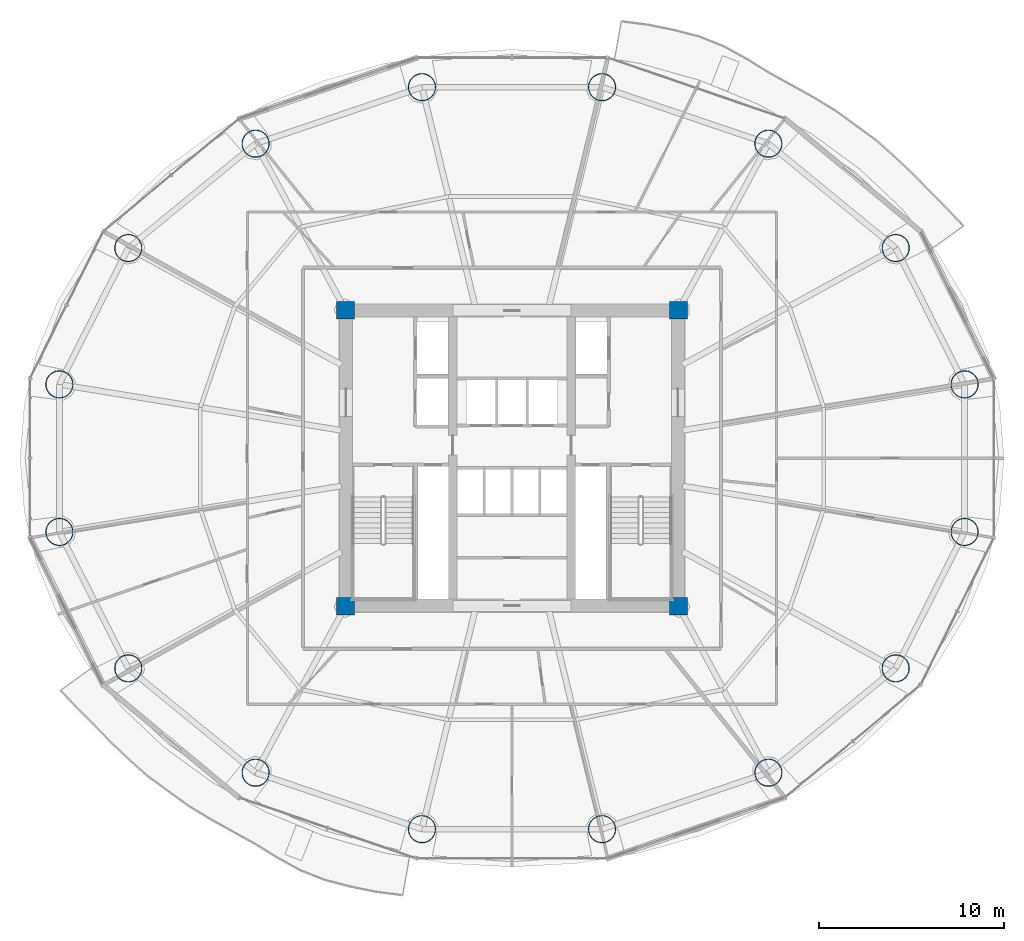
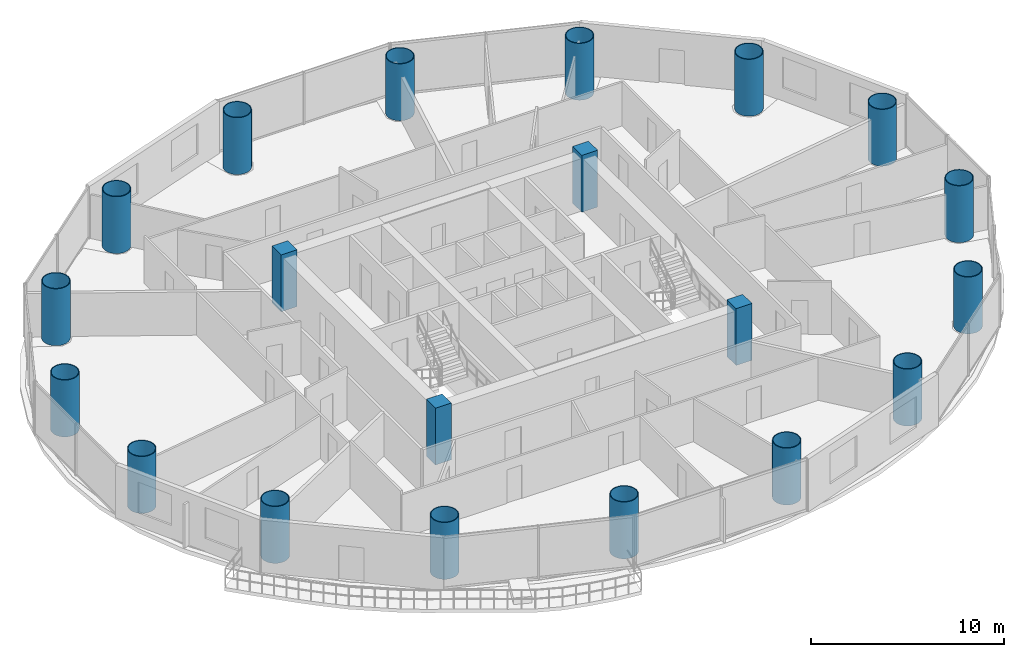
# One storey, part 1 of 29: 20 columns.
"""IFC4 building model written with IfcOpenShell, lengths in metres."""

from ifc_helpers import new_model, si_unit, direction, frame, origin, origin_2d, place, context, subcontext, project, spatial, rectangle, hollow_circle, extrude, material, material_profile, profile_set, type_object, element, save


model = new_model("IFC4")

# Units and contexts
model_context = context("Model", 3, precision=1e-05, world=origin(), true_north=direction((-0.2419218956, 0.970295726276)))
body_context = subcontext(model_context, "Body", "Model", "MODEL_VIEW")
ifc_project = project(units=[si_unit("LENGTHUNIT", "METRE"), si_unit("AREAUNIT", "SQUARE_METRE"), si_unit("VOLUMEUNIT", "CUBIC_METRE"), si_unit("PLANEANGLEUNIT", "RADIAN"), si_unit("MASSUNIT", "GRAM", prefix="KILO")], contexts=[model_context])

# Site, building, storey
site_placement = place(None, origin())
site = spatial("IfcSite", under=ifc_project, at=site_placement, CompositionType="ELEMENT")
building_placement = place(site_placement, origin())
building = spatial("IfcBuilding", under=site, at=building_placement, Name="Cobrevalo Terracotta Tower", CompositionType="ELEMENT")
storey_placement = place(building_placement, frame((0.0, 0.0, 123.0)))
storey = spatial("IfcBuildingStorey", under=building, at=storey_placement, Name="L32", CompositionType="ELEMENT", Elevation=123.0)

# Columns
ifc_material_1 = material(Name="Steel S355", Category="steel")
ifc_material_profile_1 = material_profile(ifc_material_1, hollow_circle(Radius=0.75, WallThickness=0.044921875, at=origin_2d()), Name="CHS 1500x45")
ifc_profile_set_1 = profile_set([ifc_material_profile_1], Name="Steel S355")
column_type_1 = type_object("IfcColumnType", Name="Structural Column CHS 1500x45 (Steel S355)", PredefinedType="COLUMN", material=ifc_profile_set_1)
for number, where, z_axis, x_axis, name in (
    (1, (62.470703125, 30.78955078125, 0.0), (0.0, 0.0, 1.0), (1.0, 0.0, 0.0), "L32 composite megacolumn MC01"),
    (2, (58.7451171875, 38.161376953125, 0.0), (0.0, 0.0, 1.0), (1.0, 0.0, 0.0), "L32 composite megacolumn MC02"),
    (3, (51.861572265625, 43.803466796875, 0.0), (0.0, 0.0, 1.0), (1.0, 0.0, 0.0), "L32 composite megacolumn MC03"),
    (4, (42.867431640625, 46.857177734375, 0.0), (0.0, 0.0, 1.0), (1.0, 0.0, 0.0), "L32 composite megacolumn MC04"),
    (5, (33.132568359375, 46.857177734375, 0.0), (0.0, 0.0, 1.0), (1.0, 0.0, 0.0), "L32 composite megacolumn MC05"),
    (6, (24.138427734375, 43.803466796875, 0.0), (0.0, 0.0, 1.0), (1.0, 0.0, 0.0), "L32 composite megacolumn MC06"),
    (7, (17.2548828125, 38.161376953125, 0.0), (0.0, 0.0, 1.0), (1.0, 0.0, 0.0), "L32 composite megacolumn MC07"),
    (8, (13.529296875, 30.78955078125, 0.0), (0.0, 0.0, 1.0), (1.0, 0.0, 0.0), "L32 composite megacolumn MC08"),
    (9, (13.529296875, 22.810302734375, 0.0), (0.0, 0.0, 1.0), (1.0, 0.0, 0.0), "L32 composite megacolumn MC09"),
    (10, (17.2548828125, 15.4384765625, 0.0), (0.0, 0.0, 1.0), (1.0, 0.0, 0.0), "L32 composite megacolumn MC10"),
    (11, (24.138427734375, 9.79638671875, 0.0), (0.0, 0.0, 1.0), (1.0, 0.0, 0.0), "L32 composite megacolumn MC11"),
    (12, (33.132568359375, 6.742919921875, 0.0), (0.0, 0.0, 1.0), (1.0, 0.0, 0.0), "L32 composite megacolumn MC12"),
    (13, (42.867431640625, 6.742919921875, 0.0), (0.0, 0.0, 1.0), (1.0, 0.0, 0.0), "L32 composite megacolumn MC13"),
    (14, (51.861572265625, 9.79638671875, 0.0), (0.0, 0.0, 1.0), (1.0, 0.0, 0.0), "L32 composite megacolumn MC14"),
    (15, (58.7451171875, 15.4384765625, 0.0), (0.0, 0.0, 1.0), (1.0, 0.0, 0.0), "L32 composite megacolumn MC15"),
    (16, (62.470703125, 22.810302734375, 0.0), (0.0, 0.0, 1.0), (1.0, 0.0, 0.0), "L32 composite megacolumn MC16"),
):
    element("IfcColumn", number, at=place(storey_placement, frame(where, z_axis=z_axis, x_axis=x_axis)), inside=storey, type_object=column_type_1, Name=name, PredefinedType="COLUMN", context=body_context, shape_type="SweptSolid", body=[
        extrude(hollow_circle(Radius=0.75, WallThickness=0.044921875, at=origin_2d()), origin(), (0.0, 0.0, 1.0), 3.60009765625),
    ])
ifc_material_2 = material(Name="Concrete C55", Category="concrete")
ifc_material_profile_2 = material_profile(ifc_material_2, rectangle(XDim=0.949951171875, YDim=0.949951171875, at=origin_2d()), Name="RC COL 950x950")
ifc_profile_set_2 = profile_set([ifc_material_profile_2], Name="Concrete C55")
column_type_2 = type_object("IfcColumnType", Name="Structural Column RC COL 950x950 (Concrete C55)", PredefinedType="COLUMN", material=ifc_profile_set_2)
for number, where, z_axis, x_axis, name in (
    (17, (29.0, 18.800048828125, 0.0), (0.0, 0.0, 1.0), (1.0, 0.0, 0.0), "L32 core corner column CC1"),
    (18, (47.0, 18.800048828125, 0.0), (0.0, 0.0, 1.0), (1.0, 0.0, 0.0), "L32 core corner column CC2"),
    (19, (47.0, 34.800048828125, 0.0), (0.0, 0.0, 1.0), (1.0, 0.0, 0.0), "L32 core corner column CC3"),
    (20, (29.0, 34.800048828125, 0.0), (0.0, 0.0, 1.0), (1.0, 0.0, 0.0), "L32 core corner column CC4"),
):
    element("IfcColumn", number, at=place(storey_placement, frame(where, z_axis=z_axis, x_axis=x_axis)), inside=storey, type_object=column_type_2, Name=name, PredefinedType="COLUMN", context=body_context, shape_type="SweptSolid", body=[
        extrude(rectangle(XDim=0.949951171875, YDim=0.949951171875, at=origin_2d()), origin(), (0.0, 0.0, 1.0), 3.60009765625),
    ])

save(model, "model.ifc")
